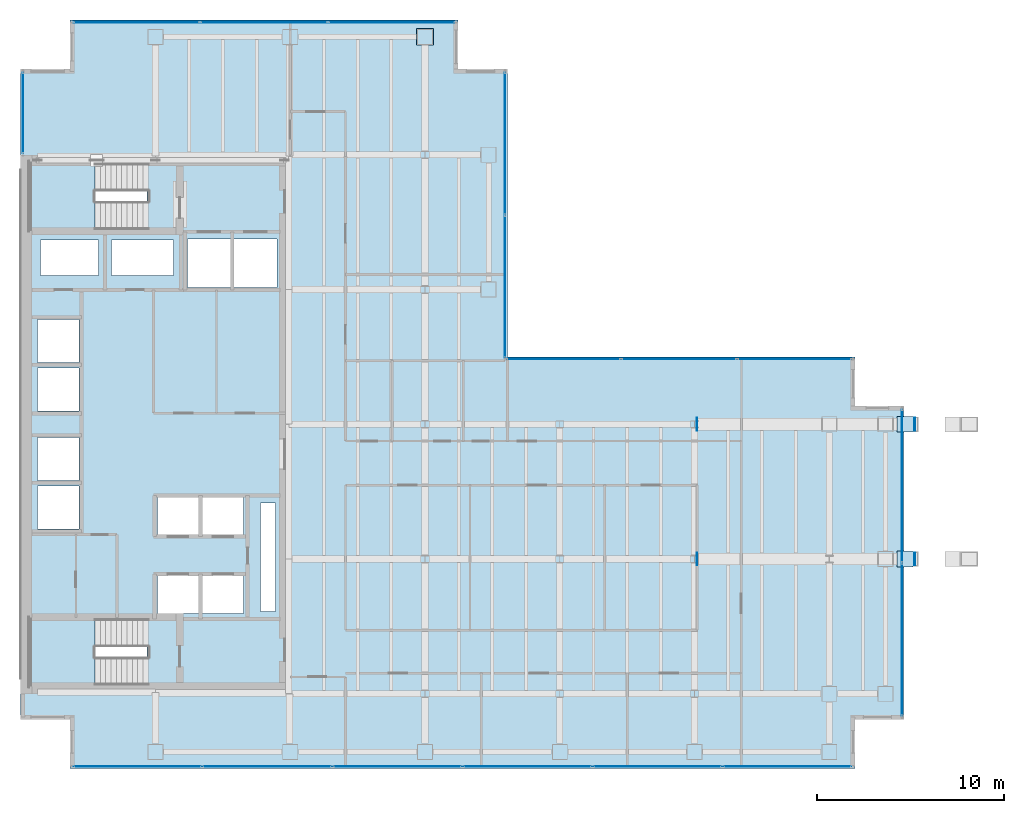
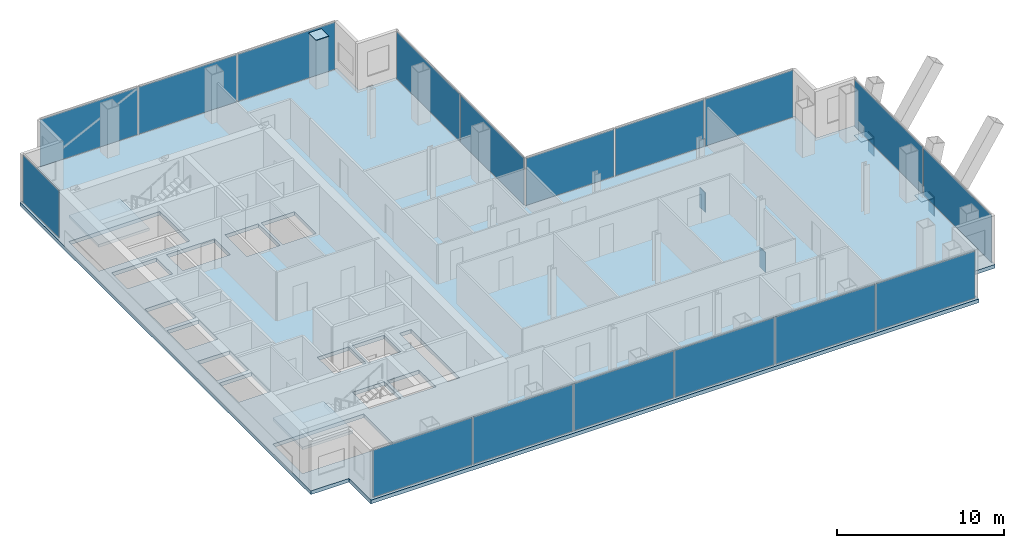
# One storey, part 19 of 23: 24 plates, 3 slabs, 15 openings, 8 elements without a shape of their own.
"""IFC4 building model written with IfcOpenShell, lengths in metres."""

from ifc_helpers import new_model, si_unit, direction, frame, origin, origin_2d, place, context, subcontext, project, spatial, polyline, rectangle, outline, extrude, material, layer, layer_set, type_object, element, aggregate, save


model = new_model("IFC4")

# Units and contexts
model_context = context("Model", 3, precision=1e-05, world=origin(), true_north=direction((0.0, 1.0)))
body_context = subcontext(model_context, "Body", "Model", "MODEL_VIEW")
ifc_project = project(units=[si_unit("LENGTHUNIT", "METRE"), si_unit("AREAUNIT", "SQUARE_METRE"), si_unit("VOLUMEUNIT", "CUBIC_METRE"), si_unit("PLANEANGLEUNIT", "RADIAN"), si_unit("MASSUNIT", "GRAM", prefix="KILO")], contexts=[model_context])

# Site, building, storey
site_placement = place(None, origin())
site = spatial("IfcSite", under=ifc_project, at=site_placement, CompositionType="ELEMENT")
building_placement = place(site_placement, origin())
building = spatial("IfcBuilding", under=site, at=building_placement, Name="Cobrela Telecom Tower", CompositionType="ELEMENT")
storey_placement = place(building_placement, frame((0.0, 0.0, 159.949951171875)))
storey = spatial("IfcBuildingStorey", under=building, at=storey_placement, Name="L40", CompositionType="ELEMENT", Elevation=159.949951171875)

# Curtain wall, plate
ifc_material_1 = material(Name="Anodized Bronze Aluminium 6063-T6", Category="aluminium")
curtain_wall_type = type_object("IfcCurtainWallType", Name="CW-SYS-TEL", PredefinedType="USERDEFINED", material=ifc_material_1)
curtain_wall_1_placement = place(storey_placement, origin())
curtain_wall_1 = element("IfcCurtainWall", 1, at=curtain_wall_1_placement, inside=storey, type_object=curtain_wall_type, Name="L40 Unitised Bronze Curtain Wall 04", ObjectType="UNITISED CURTAIN WALL", PredefinedType="USERDEFINED")
ifc_material_2 = material(Name="Solar-Control Bronze Low-E Glass", Category="glass")
ifc_layer_1 = layer(ifc_material_2, 0.035888671875)
ifc_layer_set_1 = layer_set([ifc_layer_1], Name="Solar-Control Bronze Low-E Glass")
plate_type_1 = type_object("IfcPlateType", Name="CW-SYS-TEL-PNL", PredefinedType="CURTAIN_PANEL", material=ifc_layer_set_1)
plate_1_placement = place(storey_placement, frame((0.1201171875, 38.22509765625, 0.070068359375), z_axis=(0.0, 0.0, 1.0), x_axis=(0.0, 1.0, 0.0)))
plate_1 = element("IfcPlate", 2, at=plate_1_placement, type_object=plate_type_1, Name="CW-TEL panel 1.1", PredefinedType="CURTAIN_PANEL", context=body_context, shape_type="SweptSolid", body=[
    extrude(rectangle(XDim=4.300048828125, YDim=0.035888671875, at=origin_2d()), origin(), (0.0, 0.0, 1.0), 3.43994140625),
])
aggregate(curtain_wall_1, [plate_1])

# Curtain wall, plates
curtain_wall_2_placement = place(storey_placement, origin())
curtain_wall_2 = element("IfcCurtainWall", 3, at=curtain_wall_2_placement, inside=storey, type_object=curtain_wall_type, Name="L40 Unitised Bronze Curtain Wall 07", ObjectType="UNITISED CURTAIN WALL", PredefinedType="USERDEFINED")
plate_2_placement = place(storey_placement, frame((6.185302734375, 43.080078125, 0.070068359375), z_axis=(0.0, 0.0, 1.0), x_axis=(1.0, 0.0, 0.0)))
plate_2 = element("IfcPlate", 4, at=plate_2_placement, type_object=plate_type_1, Name="CW-TEL panel 1.1", PredefinedType="CURTAIN_PANEL", context=body_context, shape_type="SweptSolid", body=[
    extrude(rectangle(XDim=6.720947265625, YDim=0.035888671875, at=origin_2d()), origin(), (0.0, 0.0, 1.0), 3.43994140625),
])
plate_3_placement = place(storey_placement, frame((13.0, 43.080078125, 0.070068359375), z_axis=(0.0, 0.0, 1.0), x_axis=(1.0, 0.0, 0.0)))
plate_3 = element("IfcPlate", 5, at=plate_3_placement, type_object=plate_type_1, Name="CW-TEL panel 2.1", PredefinedType="CURTAIN_PANEL", context=body_context, shape_type="SweptSolid", body=[
    extrude(rectangle(XDim=6.75830078125, YDim=0.035888671875, at=origin_2d()), origin(), (0.0, 0.0, 1.0), 3.43994140625),
])
plate_4_placement = place(storey_placement, frame((19.814697265625, 43.080078125, 0.070068359375), z_axis=(0.0, 0.0, 1.0), x_axis=(1.0, 0.0, 0.0)))
plate_4 = element("IfcPlate", 6, at=plate_4_placement, type_object=plate_type_1, Name="CW-TEL panel 3.1", PredefinedType="CURTAIN_PANEL", context=body_context, shape_type="SweptSolid", body=[
    extrude(rectangle(XDim=6.720947265625, YDim=0.035888671875, at=origin_2d()), origin(), (0.0, 0.0, 1.0), 3.43994140625),
])
aggregate(curtain_wall_2, [plate_2, plate_3, plate_4])

curtain_wall_3_placement = place(storey_placement, origin())
curtain_wall_3 = element("IfcCurtainWall", 7, at=curtain_wall_3_placement, inside=storey, type_object=curtain_wall_type, Name="L40 Unitised Bronze Curtain Wall 10", ObjectType="UNITISED CURTAIN WALL", PredefinedType="USERDEFINED")
plate_5_placement = place(storey_placement, frame((25.8798828125, 36.5888671875, 0.070068359375), z_axis=(0.0, 0.0, 1.0), x_axis=(0.0, -1.0, 0.0)))
plate_5 = element("IfcPlate", 8, at=plate_5_placement, type_object=plate_type_1, Name="CW-TEL panel 1.1", PredefinedType="CURTAIN_PANEL", context=body_context, shape_type="SweptSolid", body=[
    extrude(rectangle(XDim=7.572509765625, YDim=0.035888671875, at=origin_2d()), origin(), (0.0, 0.0, 1.0), 3.43994140625),
])
plate_6_placement = place(storey_placement, frame((25.8798828125, 28.941162109375, 0.070068359375), z_axis=(0.0, 0.0, 1.0), x_axis=(0.0, -1.0, 0.0)))
plate_6 = element("IfcPlate", 9, at=plate_6_placement, type_object=plate_type_1, Name="CW-TEL panel 2.1", PredefinedType="CURTAIN_PANEL", context=body_context, shape_type="SweptSolid", body=[
    extrude(rectangle(XDim=7.572509765625, YDim=0.035888671875, at=origin_2d()), origin(), (0.0, 0.0, 1.0), 3.43994140625),
])
aggregate(curtain_wall_3, [plate_5, plate_6])

curtain_wall_4_placement = place(storey_placement, origin())
curtain_wall_4 = element("IfcCurtainWall", 10, at=curtain_wall_4_placement, inside=storey, type_object=curtain_wall_type, Name="L40 Unitised Bronze Curtain Wall 11", ObjectType="UNITISED CURTAIN WALL", PredefinedType="USERDEFINED")
plate_7_placement = place(storey_placement, frame((28.99365234375, 25.080078125, 0.070068359375), z_axis=(0.0, 0.0, 1.0), x_axis=(1.0, 0.0, 0.0)))
plate_7 = element("IfcPlate", 11, at=plate_7_placement, type_object=plate_type_1, Name="CW-TEL panel 1.1", PredefinedType="CURTAIN_PANEL", context=body_context, shape_type="SweptSolid", body=[
    extrude(rectangle(XDim=6.077392578125, YDim=0.035888671875, at=origin_2d()), origin(), (0.0, 0.0, 1.0), 3.43994140625),
])
plate_8_placement = place(storey_placement, frame((35.1650390625, 25.080078125, 0.070068359375), z_axis=(0.0, 0.0, 1.0), x_axis=(1.0, 0.0, 0.0)))
plate_8 = element("IfcPlate", 12, at=plate_8_placement, type_object=plate_type_1, Name="CW-TEL panel 2.1", PredefinedType="CURTAIN_PANEL", context=body_context, shape_type="SweptSolid", body=[
    extrude(rectangle(XDim=6.114990234375, YDim=0.035888671875, at=origin_2d()), origin(), (0.0, 0.0, 1.0), 3.43994140625),
])
plate_9_placement = place(storey_placement, frame((41.336181640625, 25.080078125, 0.070068359375), z_axis=(0.0, 0.0, 1.0), x_axis=(1.0, 0.0, 0.0)))
plate_9 = element("IfcPlate", 13, at=plate_9_placement, type_object=plate_type_1, Name="CW-TEL panel 3.1", PredefinedType="CURTAIN_PANEL", context=body_context, shape_type="SweptSolid", body=[
    extrude(rectangle(XDim=6.077392578125, YDim=0.035888671875, at=origin_2d()), origin(), (0.0, 0.0, 1.0), 3.43994140625),
])
aggregate(curtain_wall_4, [plate_7, plate_8, plate_9])

curtain_wall_5_placement = place(storey_placement, origin())
curtain_wall_5 = element("IfcCurtainWall", 14, at=curtain_wall_5_placement, inside=storey, type_object=curtain_wall_type, Name="L40 Unitised Bronze Curtain Wall 14", ObjectType="UNITISED CURTAIN WALL", PredefinedType="USERDEFINED")
plate_10_placement = place(storey_placement, frame((47.080078125, 18.30615234375, 0.070068359375), z_axis=(0.0, 0.0, 1.0), x_axis=(0.0, -1.0, 0.0)))
plate_10 = element("IfcPlate", 15, at=plate_10_placement, type_object=plate_type_1, Name="CW-TEL panel 1.1", PredefinedType="CURTAIN_PANEL", context=body_context, shape_type="SweptSolid", body=[
    extrude(rectangle(XDim=8.137451171875, YDim=0.035888671875, at=origin_2d()), origin(), (0.0, 0.0, 1.0), 3.43994140625),
])
plate_11_placement = place(storey_placement, frame((47.080078125, 10.09375, 0.070068359375), z_axis=(0.0, 0.0, 1.0), x_axis=(0.0, -1.0, 0.0)))
plate_11 = element("IfcPlate", 16, at=plate_11_placement, type_object=plate_type_1, Name="CW-TEL panel 2.1", PredefinedType="CURTAIN_PANEL", context=body_context, shape_type="SweptSolid", body=[
    extrude(rectangle(XDim=8.137451171875, YDim=0.035888671875, at=origin_2d()), origin(), (0.0, 0.0, 1.0), 3.43994140625),
])
aggregate(curtain_wall_5, [plate_10, plate_11])

curtain_wall_6_placement = place(storey_placement, origin())
curtain_wall_6 = element("IfcCurtainWall", 17, at=curtain_wall_6_placement, inside=storey, type_object=curtain_wall_type, Name="L40 Unitised Bronze Curtain Wall 17", ObjectType="UNITISED CURTAIN WALL", PredefinedType="USERDEFINED")
plate_12_placement = place(storey_placement, frame((40.956298828125, 3.320068359375, 0.070068359375), z_axis=(0.0, 0.0, 1.0), x_axis=(-1.0, 0.0, 0.0)))
plate_12 = element("IfcPlate", 18, at=plate_12_placement, type_object=plate_type_1, Name="CW-TEL panel 1.1", PredefinedType="CURTAIN_PANEL", context=body_context, shape_type="SweptSolid", body=[
    extrude(rectangle(XDim=6.83740234375, YDim=0.035888671875, at=origin_2d()), origin(), (0.0, 0.0, 1.0), 3.43994140625),
])
plate_13_placement = place(storey_placement, frame((34.02490234375, 3.320068359375, 0.070068359375), z_axis=(0.0, 0.0, 1.0), x_axis=(-1.0, 0.0, 0.0)))
plate_13 = element("IfcPlate", 19, at=plate_13_placement, type_object=plate_type_1, Name="CW-TEL panel 2.1", PredefinedType="CURTAIN_PANEL", context=body_context, shape_type="SweptSolid", body=[
    extrude(rectangle(XDim=6.875, YDim=0.035888671875, at=origin_2d()), origin(), (0.0, 0.0, 1.0), 3.43994140625),
])
plate_14_placement = place(storey_placement, frame((27.074951171875, 3.320068359375, 0.070068359375), z_axis=(0.0, 0.0, 1.0), x_axis=(-1.0, 0.0, 0.0)))
plate_14 = element("IfcPlate", 20, at=plate_14_placement, type_object=plate_type_1, Name="CW-TEL panel 3.1", PredefinedType="CURTAIN_PANEL", context=body_context, shape_type="SweptSolid", body=[
    extrude(rectangle(XDim=6.875, YDim=0.035888671875, at=origin_2d()), origin(), (0.0, 0.0, 1.0), 3.43994140625),
])
plate_15_placement = place(storey_placement, frame((20.125, 3.320068359375, 0.070068359375), z_axis=(0.0, 0.0, 1.0), x_axis=(-1.0, 0.0, 0.0)))
plate_15 = element("IfcPlate", 21, at=plate_15_placement, type_object=plate_type_1, Name="CW-TEL panel 4.1", PredefinedType="CURTAIN_PANEL", context=body_context, shape_type="SweptSolid", body=[
    extrude(rectangle(XDim=6.875, YDim=0.035888671875, at=origin_2d()), origin(), (0.0, 0.0, 1.0), 3.43994140625),
])
plate_16_placement = place(storey_placement, frame((13.175048828125, 3.320068359375, 0.070068359375), z_axis=(0.0, 0.0, 1.0), x_axis=(-1.0, 0.0, 0.0)))
plate_16 = element("IfcPlate", 22, at=plate_16_placement, type_object=plate_type_1, Name="CW-TEL panel 5.1", PredefinedType="CURTAIN_PANEL", context=body_context, shape_type="SweptSolid", body=[
    extrude(rectangle(XDim=6.875, YDim=0.035888671875, at=origin_2d()), origin(), (0.0, 0.0, 1.0), 3.43994140625),
])
plate_17_placement = place(storey_placement, frame((6.24365234375, 3.320068359375, 0.070068359375), z_axis=(0.0, 0.0, 1.0), x_axis=(-1.0, 0.0, 0.0)))
plate_17 = element("IfcPlate", 23, at=plate_17_placement, type_object=plate_type_1, Name="CW-TEL panel 6.1", PredefinedType="CURTAIN_PANEL", context=body_context, shape_type="SweptSolid", body=[
    extrude(rectangle(XDim=6.83740234375, YDim=0.035888671875, at=origin_2d()), origin(), (0.0, 0.0, 1.0), 3.43994140625),
])
aggregate(curtain_wall_6, [plate_12, plate_13, plate_14, plate_15, plate_16, plate_17])

# Plates
ifc_material_3 = material(Name="Steel ASTM A572 Grade 50", Category="steel")
ifc_layer_2 = layer(ifc_material_3, 0.044921875)
ifc_layer_set_2 = layer_set([ifc_layer_2], Name="Steel ASTM A572 Grade 50")
plate_type_2 = type_object("IfcPlateType", Name="PLT-END-CAP-45", PredefinedType="SHEET", material=ifc_layer_set_2)
plate_18_placement = place(storey_placement, frame((21.60009765625, 42.300048828125, 3.57763671875), z_axis=(0.0, 0.0, 1.0), x_axis=(1.0, 0.0, 0.0)))
element("IfcPlate", 24, at=plate_18_placement, inside=storey, type_object=plate_type_2, Name="L40 Mega-Column Top End Cap Plate 27", PredefinedType="SHEET", context=body_context, shape_type="SweptSolid", body=[
    extrude(rectangle(XDim=0.889892578125, YDim=0.889892578125, at=origin_2d()), origin(), (0.0, 0.0, 1.0), 0.044921875),
])
ifc_layer_3 = layer(ifc_material_3, 0.048095703125)
ifc_layer_set_3 = layer_set([ifc_layer_3], Name="Steel ASTM A572 Grade 50")
plate_type_3 = type_object("IfcPlateType", Name="PLT-NODE-ND4", PredefinedType="USERDEFINED", material=ifc_layer_set_3)
for number, where, z_axis, x_axis, name in (
    (25, (36.1298828125, 14.39990234375, -1.68994140625), (0.0, 0.0, 1.0), (1.0, 0.0, 0.0), "Steel node plate PLT-BM-SP-FOOT-L40-1-C0"),
    (26, (47.77001953125, 14.39990234375, -1.68994140625), (0.0, 0.0, 1.0), (1.0, 0.0, 0.0), "Steel node plate PLT-BM-SP-FOOT-L40-1-C1"),
    (27, (36.1298828125, 21.60009765625, -1.68994140625), (0.0, 0.0, 1.0), (1.0, 0.0, 0.0), "Steel node plate PLT-BM-SP-FOOT-L40-2-C0"),
    (28, (47.77001953125, 21.60009765625, -1.68994140625), (0.0, 0.0, 1.0), (1.0, 0.0, 0.0), "Steel node plate PLT-BM-SP-FOOT-L40-2-C1"),
):
    element("IfcPlate", number, at=place(storey_placement, frame(where, z_axis=z_axis, x_axis=x_axis)), inside=storey, type_object=plate_type_3, Name=name, ObjectType="GUSSET PLATE", PredefinedType="USERDEFINED", context=body_context, shape_type="SweptSolid", body=[
        extrude(rectangle(XDim=0.044921875, YDim=0.68994140625, at=origin_2d()), origin(), (0.0, 0.0, 1.0), 1.43994140625),
    ])
ifc_layer_4 = layer(ifc_material_3, 0.048095703125)
ifc_layer_set_4 = layer_set([ifc_layer_4], Name="Steel ASTM A572 Grade 50")
plate_type_4 = type_object("IfcPlateType", Name="PLT-NODE-ND9", PredefinedType="USERDEFINED", material=ifc_layer_set_4)
for number, where, z_axis, x_axis, name in (
    (29, (47.25, 14.39990234375, -0.3125), (0.0, 0.0, 1.0), (1.0, 0.0, 0.0), "Steel node plate PLT-SP-FOOT-1A"),
    (30, (47.25, 21.60009765625, -0.3125), (0.0, 0.0, 1.0), (1.0, 0.0, 0.0), "Steel node plate PLT-SP-FOOT-2A"),
):
    element("IfcPlate", number, at=place(storey_placement, frame(where, z_axis=z_axis, x_axis=x_axis)), inside=storey, type_object=plate_type_4, Name=name, ObjectType="GUSSET PLATE", PredefinedType="USERDEFINED", context=body_context, shape_type="SweptSolid", body=[
        extrude(rectangle(XDim=0.840087890625, YDim=0.840087890625, at=origin_2d()), origin(), (0.0, 0.0, 1.0), 0.044921875),
    ])

# Slab, openings
ifc_material_4 = material(Name="Concrete C40/50", Category="concrete")
ifc_layer_5 = layer(ifc_material_4, 0.27001953125)
ifc_layer_set_5 = layer_set([ifc_layer_5], Name="Concrete C40/50")
slab_type_1 = type_object("IfcSlabType", Name="SLAB-FLR-270", PredefinedType="FLOOR", material=ifc_layer_set_5)
slab_1_placement = place(storey_placement, frame((0.0, 0.0, -0.27001953125)))
slab_1 = element("IfcSlab", 31, at=slab_1_placement, inside=storey, type_object=slab_type_1, Name="L40 Structural Floor Slab", PredefinedType="FLOOR", context=body_context, shape_type="SweptSolid", body=[
    extrude(outline(polyline([(2.6298828125, 3.199951171875), (44.570068359375, 3.199951171875), (44.570068359375, 5.830078125), (47.199951171875, 5.830078125), (47.199951171875, 22.570068359375), (44.570068359375, 22.570068359375), (44.570068359375, 25.199951171875), (26.0, 25.199951171875), (26.0, 40.570068359375), (23.3701171875, 40.570068359375), (23.3701171875, 43.199951171875), (2.6298828125, 43.199951171875), (2.6298828125, 40.570068359375), (0.0, 40.570068359375), (0.0, 5.830078125), (2.6298828125, 5.830078125), (2.6298828125, 3.199951171875)])), origin(), (0.0, 0.0, 1.0), 0.27001953125),
])
opening_1_placement = place(slab_1_placement, frame((0.0, 0.0, -0.02001953125)))
element("IfcOpeningElement", 32, at=opening_1_placement, cuts=slab_1, Name="Slab Shaft Opening SLAB-L40-MAIN.1", PredefinedType="OPENING", context=body_context, shape_type="SweptSolid", body=[
    extrude(outline(polyline([(8.89990234375, 28.89990234375), (11.199951171875, 28.89990234375), (11.199951171875, 31.5), (8.89990234375, 31.5), (8.89990234375, 28.89990234375)])), origin(), (0.0, 0.0, 1.0), 0.31005859375),
])
opening_2_placement = place(slab_1_placement, frame((0.0, 0.0, -0.02001953125)))
element("IfcOpeningElement", 33, at=opening_2_placement, cuts=slab_1, Name="Slab Shaft Opening SLAB-L40-MAIN.2", PredefinedType="OPENING", context=body_context, shape_type="SweptSolid", body=[
    extrude(outline(polyline([(11.39990234375, 28.89990234375), (13.699951171875, 28.89990234375), (13.699951171875, 31.5), (11.39990234375, 31.5), (11.39990234375, 28.89990234375)])), origin(), (0.0, 0.0, 1.0), 0.31005859375),
])
opening_3_placement = place(slab_1_placement, frame((0.0, 0.0, -0.02001953125)))
element("IfcOpeningElement", 34, at=opening_3_placement, cuts=slab_1, Name="Slab Shaft Opening SLAB-L40-MAIN.3", PredefinedType="OPENING", context=body_context, shape_type="SweptSolid", body=[
    extrude(outline(polyline([(7.300048828125, 15.699951171875), (9.5, 15.699951171875), (9.5, 17.699951171875), (7.300048828125, 17.699951171875), (7.300048828125, 15.699951171875)])), origin(), (0.0, 0.0, 1.0), 0.31005859375),
])
opening_4_placement = place(slab_1_placement, frame((0.0, 0.0, -0.02001953125)))
element("IfcOpeningElement", 35, at=opening_4_placement, cuts=slab_1, Name="Slab Shaft Opening SLAB-L40-MAIN.4", PredefinedType="OPENING", context=body_context, shape_type="SweptSolid", body=[
    extrude(outline(polyline([(9.699951171875, 15.699951171875), (11.89990234375, 15.699951171875), (11.89990234375, 17.699951171875), (9.699951171875, 17.699951171875), (9.699951171875, 15.699951171875)])), origin(), (0.0, 0.0, 1.0), 0.31005859375),
])
opening_5_placement = place(slab_1_placement, frame((0.0, 0.0, -0.02001953125)))
element("IfcOpeningElement", 36, at=opening_5_placement, cuts=slab_1, Name="Slab Shaft Opening SLAB-L40-MAIN.5", PredefinedType="OPENING", context=body_context, shape_type="SweptSolid", body=[
    extrude(outline(polyline([(7.300048828125, 11.5), (9.5, 11.5), (9.5, 13.5), (7.300048828125, 13.5), (7.300048828125, 11.5)])), origin(), (0.0, 0.0, 1.0), 0.31005859375),
])
opening_6_placement = place(slab_1_placement, frame((0.0, 0.0, -0.02001953125)))
element("IfcOpeningElement", 37, at=opening_6_placement, cuts=slab_1, Name="Slab Shaft Opening SLAB-L40-MAIN.6", PredefinedType="OPENING", context=body_context, shape_type="SweptSolid", body=[
    extrude(outline(polyline([(9.699951171875, 11.5), (11.89990234375, 11.5), (11.89990234375, 13.5), (9.699951171875, 13.5), (9.699951171875, 11.5)])), origin(), (0.0, 0.0, 1.0), 0.31005859375),
])
opening_7_placement = place(slab_1_placement, frame((0.0, 0.0, -0.02001953125)))
element("IfcOpeningElement", 38, at=opening_7_placement, cuts=slab_1, Name="Slab Shaft Opening SLAB-L40-MAIN.7", PredefinedType="OPENING", context=body_context, shape_type="SweptSolid", body=[
    extrude(outline(polyline([(0.89990234375, 16.0), (3.10009765625, 16.0), (3.10009765625, 18.300048828125), (0.89990234375, 18.300048828125), (0.89990234375, 16.0)])), origin(), (0.0, 0.0, 1.0), 0.31005859375),
])
opening_8_placement = place(slab_1_placement, frame((0.0, 0.0, -0.02001953125)))
element("IfcOpeningElement", 39, at=opening_8_placement, cuts=slab_1, Name="Slab Shaft Opening SLAB-L40-MAIN.8", PredefinedType="OPENING", context=body_context, shape_type="SweptSolid", body=[
    extrude(outline(polyline([(0.89990234375, 18.60009765625), (3.10009765625, 18.60009765625), (3.10009765625, 20.89990234375), (0.89990234375, 20.89990234375), (0.89990234375, 18.60009765625)])), origin(), (0.0, 0.0, 1.0), 0.31005859375),
])
opening_9_placement = place(slab_1_placement, frame((0.0, 0.0, -0.02001953125)))
element("IfcOpeningElement", 40, at=opening_9_placement, cuts=slab_1, Name="Slab Shaft Opening SLAB-L40-MAIN.9", PredefinedType="OPENING", context=body_context, shape_type="SweptSolid", body=[
    extrude(outline(polyline([(0.89990234375, 22.300048828125), (3.10009765625, 22.300048828125), (3.10009765625, 24.60009765625), (0.89990234375, 24.60009765625), (0.89990234375, 22.300048828125)])), origin(), (0.0, 0.0, 1.0), 0.31005859375),
])
opening_10_placement = place(slab_1_placement, frame((0.0, 0.0, -0.02001953125)))
element("IfcOpeningElement", 41, at=opening_10_placement, cuts=slab_1, Name="Slab Shaft Opening SLAB-L40-MAIN.10", PredefinedType="OPENING", context=body_context, shape_type="SweptSolid", body=[
    extrude(outline(polyline([(0.89990234375, 24.89990234375), (3.10009765625, 24.89990234375), (3.10009765625, 27.199951171875), (0.89990234375, 27.199951171875), (0.89990234375, 24.89990234375)])), origin(), (0.0, 0.0, 1.0), 0.31005859375),
])
opening_11_placement = place(slab_1_placement, frame((0.0, 0.0, -0.02001953125)))
element("IfcOpeningElement", 42, at=opening_11_placement, cuts=slab_1, Name="Slab Shaft Opening SLAB-L40-MAIN.11", PredefinedType="OPENING", context=body_context, shape_type="SweptSolid", body=[
    extrude(outline(polyline([(1.050048828125, 29.550048828125), (4.14990234375, 29.550048828125), (4.14990234375, 31.449951171875), (1.050048828125, 31.449951171875), (1.050048828125, 29.550048828125)])), origin(), (0.0, 0.0, 1.0), 0.31005859375),
])
opening_12_placement = place(slab_1_placement, frame((0.0, 0.0, -0.02001953125)))
element("IfcOpeningElement", 43, at=opening_12_placement, cuts=slab_1, Name="Slab Shaft Opening SLAB-L40-MAIN.12", PredefinedType="OPENING", context=body_context, shape_type="SweptSolid", body=[
    extrude(outline(polyline([(4.85009765625, 29.550048828125), (8.14990234375, 29.550048828125), (8.14990234375, 31.449951171875), (4.85009765625, 31.449951171875), (4.85009765625, 29.550048828125)])), origin(), (0.0, 0.0, 1.0), 0.31005859375),
])
opening_13_placement = place(slab_1_placement, frame((0.0, 0.0, -0.02001953125)))
element("IfcOpeningElement", 44, at=opening_13_placement, cuts=slab_1, Name="Slab Shaft Opening SLAB-L40-MAIN.13", PredefinedType="OPENING", context=body_context, shape_type="SweptSolid", body=[
    extrude(outline(polyline([(12.800048828125, 11.60009765625), (13.60009765625, 11.60009765625), (13.60009765625, 17.39990234375), (12.800048828125, 17.39990234375), (12.800048828125, 11.60009765625)])), origin(), (0.0, 0.0, 1.0), 0.31005859375),
])
opening_14_placement = place(slab_1_placement, frame((0.0, 0.0, -0.02001953125)))
element("IfcOpeningElement", 45, at=opening_14_placement, cuts=slab_1, Name="Slab Shaft Opening SLAB-L40-MAIN.14", PredefinedType="OPENING", context=body_context, shape_type="SweptSolid", body=[
    extrude(outline(polyline([(6.7548828125, 35.550048828125), (0.47998046875, 35.550048828125), (0.47998046875, 32.0), (6.7548828125, 32.0), (6.7548828125, 35.550048828125)])), origin(), (0.0, 0.0, 1.0), 0.31005859375),
])
opening_15_placement = place(slab_1_placement, frame((0.0, 0.0, -0.02001953125)))
element("IfcOpeningElement", 46, at=opening_15_placement, cuts=slab_1, Name="Slab Shaft Opening SLAB-L40-MAIN.15", PredefinedType="OPENING", context=body_context, shape_type="SweptSolid", body=[
    extrude(outline(polyline([(6.7548828125, 11.199951171875), (0.47998046875, 11.199951171875), (0.47998046875, 7.64990234375), (6.7548828125, 7.64990234375), (6.7548828125, 11.199951171875)])), origin(), (0.0, 0.0, 1.0), 0.31005859375),
])

# Stair, slab
stair_type = type_object("IfcStairType", Name="STAIR-CORE", PredefinedType="HALF_TURN_STAIR", material=ifc_material_4)
stair_1_placement = place(storey_placement, origin())
stair_1 = element("IfcStair", 47, at=stair_1_placement, inside=storey, type_object=stair_type, Name="L40 Smokeproof Exit Stair ST1", PredefinedType="HALF_TURN_STAIR")
ifc_layer_6 = layer(ifc_material_4, 0.199951171875)
ifc_layer_set_6 = layer_set([ifc_layer_6], Name="Concrete C40/50")
slab_type_2 = type_object("IfcSlabType", Name="SLAB-LAND-200", PredefinedType="LANDING", material=ifc_layer_set_6)
slab_2_placement = place(storey_placement, frame((0.0, 0.0, 1.72509765625)))
slab_2 = element("IfcSlab", 48, at=slab_2_placement, type_object=slab_type_2, Name="ST1 landing 1", PredefinedType="LANDING", context=body_context, shape_type="SweptSolid", body=[
    extrude(outline(polyline([(3.969970703125, 35.550048828125), (0.47998046875, 35.550048828125), (0.47998046875, 32.0), (3.969970703125, 32.0), (3.969970703125, 35.550048828125)])), origin(), (0.0, 0.0, 1.0), 0.199951171875),
])
aggregate(stair_1, [slab_2])

stair_2_placement = place(storey_placement, origin())
stair_2 = element("IfcStair", 49, at=stair_2_placement, inside=storey, type_object=stair_type, Name="L40 Smokeproof Exit Stair ST2", PredefinedType="HALF_TURN_STAIR")
slab_3_placement = place(storey_placement, frame((0.0, 0.0, 1.72509765625)))
slab_3 = element("IfcSlab", 50, at=slab_3_placement, type_object=slab_type_2, Name="ST2 landing 1", PredefinedType="LANDING", context=body_context, shape_type="SweptSolid", body=[
    extrude(outline(polyline([(3.969970703125, 11.199951171875), (0.47998046875, 11.199951171875), (0.47998046875, 7.64990234375), (3.969970703125, 7.64990234375), (3.969970703125, 11.199951171875)])), origin(), (0.0, 0.0, 1.0), 0.199951171875),
])
aggregate(stair_2, [slab_3])

save(model, "model.ifc")
